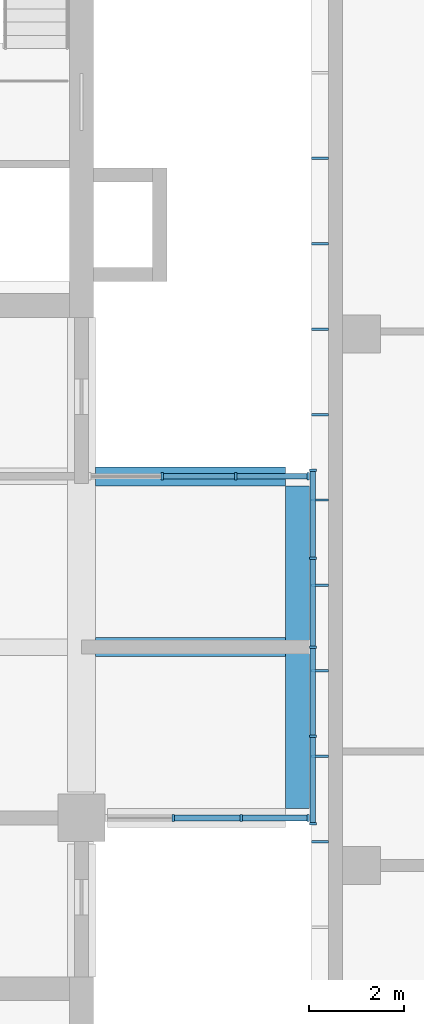
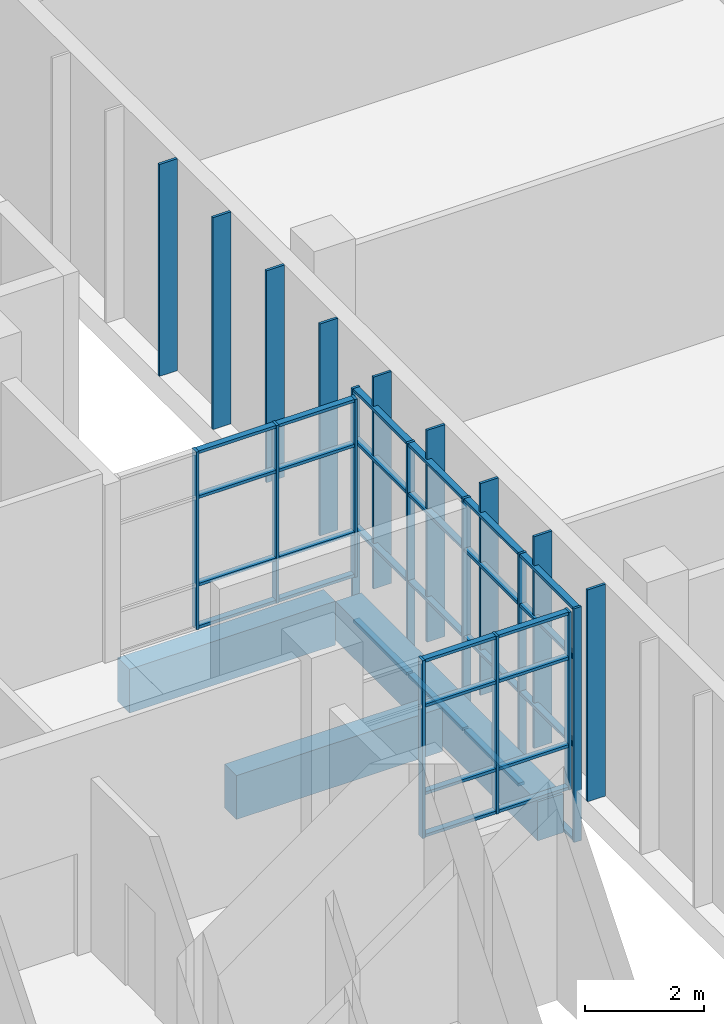
# One storey, part 19 of 45: 52 members, 4 beams, 3 elements without a shape of their own.
"""IFC4 building model written with IfcOpenShell, lengths in metres."""

from ifc_helpers import new_model, si_unit, direction, frame, origin, origin_2d, place, context, subcontext, project, spatial, rectangle, extrude, material, layer, layer_set, material_profile, profile_set, type_object, element, aggregate, save


model = new_model("IFC4")

# Units and contexts
model_context = context("Model", 3, precision=1e-05, world=origin(), true_north=direction((0.0, 1.0)))
body_context = subcontext(model_context, "Body", "Model", "MODEL_VIEW")
ifc_project = project(units=[si_unit("LENGTHUNIT", "METRE"), si_unit("AREAUNIT", "SQUARE_METRE"), si_unit("VOLUMEUNIT", "CUBIC_METRE"), si_unit("PLANEANGLEUNIT", "RADIAN"), si_unit("MASSUNIT", "GRAM", prefix="KILO")], contexts=[model_context])

# Site, building, storey
site_placement = place(None, origin())
site = spatial("IfcSite", under=ifc_project, at=site_placement, CompositionType="ELEMENT")
building_placement = place(site_placement, origin())
building = spatial("IfcBuilding", under=site, at=building_placement, Name="Basin Gate Institute", CompositionType="ELEMENT")
storey_placement = place(building_placement, frame((0.0, 0.0, 22.199951171875)))
storey = spatial("IfcBuildingStorey", under=building, at=storey_placement, Name="L04", CompositionType="ELEMENT", Elevation=22.199951171875)

# Beams
ifc_material_1 = material(Name="Concrete 50 MPa", Category="concrete")
ifc_material_profile_1 = material_profile(ifc_material_1, rectangle(XDim=0.39990234375, YDim=0.89990234375, at=origin_2d()), Name="Cantilever beam B3 400 x 900")
ifc_profile_set_1 = profile_set([ifc_material_profile_1], Name="Concrete 50 MPa")
beam_type_1 = type_object("IfcBeamType", Name="Cantilever beam B3 R120", PredefinedType="BEAM", material=ifc_profile_set_1)
for number, where, z_axis, x_axis, name in (
    (1, (123.10009765625, 81.89990234375, -0.699951171875), (-1.0, 0.0, 0.0), (0.0, -1.0, 0.0), "BEAM/L04/E/CANT/14"),
    (2, (123.10009765625, 85.5, -0.699951171875), (-1.0, 0.0, 0.0), (0.0, -1.0, 0.0), "BEAM/L04/E/CANT/15"),
):
    element("IfcBeam", number, at=place(storey_placement, frame(where, z_axis=z_axis, x_axis=x_axis)), inside=storey, type_object=beam_type_1, material=ifc_profile_set_1, Name=name, PredefinedType="BEAM", context=body_context, shape_type="SweptSolid", body=[
        extrude(rectangle(XDim=0.39990234375, YDim=0.89990234375, at=origin_2d()), origin(), (0.0, 0.0, 1.0), 4.0),
    ])

# Members
ifc_material_2 = material(Name="Anodised aluminium", Category="aluminium")
ifc_material_profile_2 = material_profile(ifc_material_2, rectangle(XDim=0.050048828125, YDim=0.35009765625, at=origin_2d()), Name="Louvre fin CF1 50 x 350")
ifc_profile_set_2 = profile_set([ifc_material_profile_2], Name="Anodised aluminium")
member_type_1 = type_object("IfcMemberType", Name="Louvre fin CF1", PredefinedType="PLATE", material=ifc_profile_set_2)
for number, where, z_axis, x_axis, name in (
    (3, (123.824951171875, 77.800048828125, 0.0), (0.0, 0.0, 1.0), (0.0, 1.0, 0.0), "Louvre fin CF1 W5 L04"),
    (4, (123.824951171875, 79.60009765625, 0.0), (0.0, 0.0, 1.0), (0.0, 1.0, 0.0), "Louvre fin CF1 W6 L04"),
    (5, (123.824951171875, 81.39990234375, 0.0), (0.0, 0.0, 1.0), (0.0, 1.0, 0.0), "Louvre fin CF1 W7 L04"),
    (6, (123.824951171875, 83.199951171875, 0.0), (0.0, 0.0, 1.0), (0.0, 1.0, 0.0), "Louvre fin CF1 W8 L04"),
    (7, (123.824951171875, 85.0, 0.0), (0.0, 0.0, 1.0), (0.0, 1.0, 0.0), "Louvre fin CF1 W9 L04"),
    (8, (123.824951171875, 86.800048828125, 0.0), (0.0, 0.0, 1.0), (0.0, 1.0, 0.0), "Louvre fin CF1 W10 L04"),
    (9, (123.824951171875, 88.60009765625, 0.0), (0.0, 0.0, 1.0), (0.0, 1.0, 0.0), "Louvre fin CF1 W11 L04"),
    (10, (123.824951171875, 90.39990234375, 0.0), (0.0, 0.0, 1.0), (0.0, 1.0, 0.0), "Louvre fin CF1 W12 L04"),
    (11, (123.824951171875, 92.199951171875, 0.0), (0.0, 0.0, 1.0), (0.0, 1.0, 0.0), "Louvre fin CF1 W13 L04"),
):
    element("IfcMember", number, at=place(storey_placement, frame(where, z_axis=z_axis, x_axis=x_axis)), inside=storey, type_object=member_type_1, material=ifc_profile_set_2, Name=name, PredefinedType="PLATE", context=body_context, shape_type="SweptSolid", body=[
        extrude(rectangle(XDim=0.050048828125, YDim=0.35009765625, at=origin_2d()), origin(), (0.0, 0.0, 1.0), 4.35009765625),
    ])

# Curtain wall, members
ifc_material_3 = material(Name="Aluminium-framed glazing", Category="aluminium")
ifc_layer = layer(ifc_material_3, 0.14990234375)
ifc_layer_set = layer_set([ifc_layer], Name="Capsule front curtain wall CW1")
curtain_wall_type = type_object("IfcCurtainWallType", Name="Capsule front curtain wall CW1", PredefinedType="NOTDEFINED", material=ifc_layer_set)
curtain_wall_1_placement = place(storey_placement, origin())
curtain_wall_1 = element("IfcCurtainWall", 12, at=curtain_wall_1_placement, inside=storey, type_object=curtain_wall_type, material=ifc_layer_set, Name="Capsule front curtain wall E wing capsule end L04 line 13", PredefinedType="NOTDEFINED")
ifc_material_4 = material(Name="Aluminium", Category="aluminium")
ifc_material_profile_3 = material_profile(ifc_material_4, rectangle(XDim=0.14990234375, YDim=0.050048828125, at=origin_2d()), Name="Mullion MU1 150 x 50")
ifc_profile_set_3 = profile_set([ifc_material_profile_3], Name="Aluminium")
member_type_2 = type_object("IfcMemberType", Name="Mullion MU1", PredefinedType="MULLION", material=ifc_profile_set_3)
member_1_placement = place(storey_placement, frame((123.574951171875, 78.300048828125, 0.0), z_axis=(0.0, 0.0, 1.0), x_axis=(0.0, -1.0, 0.0)))
member_1 = element("IfcMember", 13, at=member_1_placement, type_object=member_type_2, material=ifc_profile_set_3, Name="CW1 mullion 1", PredefinedType="MULLION", context=body_context, shape_type="SweptSolid", body=[
    extrude(rectangle(XDim=0.14990234375, YDim=0.050048828125, at=origin_2d()), origin(), (0.0, 0.0, 1.0), 3.650146484375),
])
member_2_placement = place(storey_placement, frame((122.166748046875, 78.300048828125, 0.0), z_axis=(0.0, 0.0, 1.0), x_axis=(0.0, -1.0, 0.0)))
member_2 = element("IfcMember", 14, at=member_2_placement, type_object=member_type_2, material=ifc_profile_set_3, Name="CW1 mullion 2", PredefinedType="MULLION", context=body_context, shape_type="SweptSolid", body=[
    extrude(rectangle(XDim=0.14990234375, YDim=0.050048828125, at=origin_2d()), origin(), (0.0, 0.0, 1.0), 3.650146484375),
])
member_3_placement = place(storey_placement, frame((120.7333984375, 78.300048828125, 0.0), z_axis=(0.0, 0.0, 1.0), x_axis=(0.0, -1.0, 0.0)))
member_3 = element("IfcMember", 15, at=member_3_placement, type_object=member_type_2, material=ifc_profile_set_3, Name="CW1 mullion 3", PredefinedType="MULLION", context=body_context, shape_type="SweptSolid", body=[
    extrude(rectangle(XDim=0.14990234375, YDim=0.050048828125, at=origin_2d()), origin(), (0.0, 0.0, 1.0), 3.650146484375),
])

curtain_wall_2_placement = place(storey_placement, origin())
curtain_wall_2 = element("IfcCurtainWall", 16, at=curtain_wall_2_placement, inside=storey, type_object=curtain_wall_type, material=ifc_layer_set, Name="Capsule front curtain wall E wing capsule end L04 line 15", PredefinedType="NOTDEFINED")
member_4_placement = place(storey_placement, frame((123.574951171875, 85.5, 0.0), z_axis=(0.0, 0.0, 1.0), x_axis=(0.0, -1.0, 0.0)))
member_4 = element("IfcMember", 17, at=member_4_placement, type_object=member_type_2, material=ifc_profile_set_3, Name="CW1 mullion 1", PredefinedType="MULLION", context=body_context, shape_type="SweptSolid", body=[
    extrude(rectangle(XDim=0.14990234375, YDim=0.050048828125, at=origin_2d()), origin(), (0.0, 0.0, 1.0), 3.650146484375),
])
member_5_placement = place(storey_placement, frame((122.050048828125, 85.5, 0.0), z_axis=(0.0, 0.0, 1.0), x_axis=(0.0, -1.0, 0.0)))
member_5 = element("IfcMember", 18, at=member_5_placement, type_object=member_type_2, material=ifc_profile_set_3, Name="CW1 mullion 2", PredefinedType="MULLION", context=body_context, shape_type="SweptSolid", body=[
    extrude(rectangle(XDim=0.14990234375, YDim=0.050048828125, at=origin_2d()), origin(), (0.0, 0.0, 1.0), 3.650146484375),
])
member_6_placement = place(storey_placement, frame((120.5, 85.5, 0.0), z_axis=(0.0, 0.0, 1.0), x_axis=(0.0, -1.0, 0.0)))
member_6 = element("IfcMember", 19, at=member_6_placement, type_object=member_type_2, material=ifc_profile_set_3, Name="CW1 mullion 3", PredefinedType="MULLION", context=body_context, shape_type="SweptSolid", body=[
    extrude(rectangle(XDim=0.14990234375, YDim=0.050048828125, at=origin_2d()), origin(), (0.0, 0.0, 1.0), 3.650146484375),
])

curtain_wall_3_placement = place(storey_placement, origin())
curtain_wall_3 = element("IfcCurtainWall", 20, at=curtain_wall_3_placement, inside=storey, type_object=curtain_wall_type, material=ifc_layer_set, Name="Capsule front curtain wall E wing capsule 2 L04 front 2", PredefinedType="NOTDEFINED")
member_7_placement = place(storey_placement, frame((123.675048828125, 78.175048828125, -1.050048828125), z_axis=(0.0, 0.0, 1.0), x_axis=(-1.0, 0.0, 0.0)))
member_7 = element("IfcMember", 21, at=member_7_placement, type_object=member_type_2, material=ifc_profile_set_3, Name="CW1 mullion 1", PredefinedType="MULLION", context=body_context, shape_type="SweptSolid", body=[
    extrude(rectangle(XDim=0.14990234375, YDim=0.050048828125, at=origin_2d()), origin(), (0.0, 0.0, 1.0), 4.800048828125),
])
member_8_placement = place(storey_placement, frame((123.675048828125, 80.02490234375, -1.050048828125), z_axis=(0.0, 0.0, 1.0), x_axis=(-1.0, 0.0, 0.0)))
member_8 = element("IfcMember", 22, at=member_8_placement, type_object=member_type_2, material=ifc_profile_set_3, Name="CW1 mullion 2", PredefinedType="MULLION", context=body_context, shape_type="SweptSolid", body=[
    extrude(rectangle(XDim=0.14990234375, YDim=0.050048828125, at=origin_2d()), origin(), (0.0, 0.0, 1.0), 4.800048828125),
])
member_9_placement = place(storey_placement, frame((123.675048828125, 81.89990234375, -1.050048828125), z_axis=(0.0, 0.0, 1.0), x_axis=(-1.0, 0.0, 0.0)))
member_9 = element("IfcMember", 23, at=member_9_placement, type_object=member_type_2, material=ifc_profile_set_3, Name="CW1 mullion 3", PredefinedType="MULLION", context=body_context, shape_type="SweptSolid", body=[
    extrude(rectangle(XDim=0.14990234375, YDim=0.050048828125, at=origin_2d()), origin(), (0.0, 0.0, 1.0), 4.800048828125),
])
member_10_placement = place(storey_placement, frame((123.675048828125, 83.77490234375, -1.050048828125), z_axis=(0.0, 0.0, 1.0), x_axis=(-1.0, 0.0, 0.0)))
member_10 = element("IfcMember", 24, at=member_10_placement, type_object=member_type_2, material=ifc_profile_set_3, Name="CW1 mullion 4", PredefinedType="MULLION", context=body_context, shape_type="SweptSolid", body=[
    extrude(rectangle(XDim=0.14990234375, YDim=0.050048828125, at=origin_2d()), origin(), (0.0, 0.0, 1.0), 4.800048828125),
])
member_11_placement = place(storey_placement, frame((123.675048828125, 85.625, -1.050048828125), z_axis=(0.0, 0.0, 1.0), x_axis=(-1.0, 0.0, 0.0)))
member_11 = element("IfcMember", 25, at=member_11_placement, type_object=member_type_2, material=ifc_profile_set_3, Name="CW1 mullion 5", PredefinedType="MULLION", context=body_context, shape_type="SweptSolid", body=[
    extrude(rectangle(XDim=0.14990234375, YDim=0.050048828125, at=origin_2d()), origin(), (0.0, 0.0, 1.0), 4.800048828125),
])

# Beams
ifc_material_5 = material(Name="Concrete 50 MPa", Category="concrete")
ifc_material_profile_4 = material_profile(ifc_material_5, rectangle(XDim=0.5, YDim=0.800048828125, at=origin_2d()), Name="Tip beam TB1 500 x 800")
ifc_profile_set_4 = profile_set([ifc_material_profile_4], Name="Concrete 50 MPa")
beam_type_2 = type_object("IfcBeamType", Name="Tip beam TB1 R120", PredefinedType="SPANDREL", material=ifc_profile_set_4)
beam_1_placement = place(storey_placement, frame((123.35009765625, 78.5, -0.64990234375), z_axis=(0.0, 1.0, 0.0), x_axis=(-1.0, 0.0, 0.0)))
element("IfcBeam", 26, at=beam_1_placement, inside=storey, type_object=beam_type_2, material=ifc_profile_set_4, Name="BEAM/L04/E/TIP/6", PredefinedType="SPANDREL", context=body_context, shape_type="SweptSolid", body=[
    extrude(rectangle(XDim=0.5, YDim=0.800048828125, at=origin_2d()), origin(), (0.0, 0.0, 1.0), 3.39990234375),
])
beam_2_placement = place(storey_placement, frame((123.35009765625, 81.89990234375, -0.64990234375), z_axis=(0.0, 1.0, 0.0), x_axis=(-1.0, 0.0, 0.0)))
element("IfcBeam", 27, at=beam_2_placement, inside=storey, type_object=beam_type_2, material=ifc_profile_set_4, Name="BEAM/L04/E/TIP/7", PredefinedType="SPANDREL", context=body_context, shape_type="SweptSolid", body=[
    extrude(rectangle(XDim=0.5, YDim=0.800048828125, at=origin_2d()), origin(), (0.0, 0.0, 1.0), 3.400146484375),
])

# Member
ifc_material_6 = material(Name="Aluminium", Category="aluminium")
ifc_material_profile_5 = material_profile(ifc_material_6, rectangle(XDim=0.1201171875, YDim=0.06005859375, at=origin_2d()), Name="Transom TR1 120 x 60")
ifc_profile_set_5 = profile_set([ifc_material_profile_5], Name="Aluminium")
member_type_3 = type_object("IfcMemberType", Name="Transom TR1", PredefinedType="USERDEFINED", material=ifc_profile_set_5)
member_12_placement = place(storey_placement, frame((123.550048828125, 78.300048828125, 0.030029296875), z_axis=(-1.0, 0.0, 0.0), x_axis=(0.0, -1.0, 0.0)))
member_12 = element("IfcMember", 28, at=member_12_placement, type_object=member_type_3, material=ifc_profile_set_5, Name="CW1 transom 1.1", ObjectType="TRANSOM", PredefinedType="USERDEFINED", context=body_context, shape_type="SweptSolid", body=[
    extrude(rectangle(XDim=0.1201171875, YDim=0.06005859375, at=origin_2d()), origin(), (0.0, 0.0, 1.0), 1.3583984375),
])

member_13_placement = place(storey_placement, frame((123.550048828125, 78.300048828125, 0.900146484375), z_axis=(-1.0, 0.0, 0.0), x_axis=(0.0, -1.0, 0.0)))
member_13 = element("IfcMember", 29, at=member_13_placement, type_object=member_type_3, material=ifc_profile_set_5, Name="CW1 transom 1.2", ObjectType="TRANSOM", PredefinedType="USERDEFINED", context=body_context, shape_type="SweptSolid", body=[
    extrude(rectangle(XDim=0.1201171875, YDim=0.06005859375, at=origin_2d()), origin(), (0.0, 0.0, 1.0), 1.3583984375),
])

member_14_placement = place(storey_placement, frame((123.550048828125, 78.300048828125, 2.699951171875), z_axis=(-1.0, 0.0, 0.0), x_axis=(0.0, -1.0, 0.0)))
member_14 = element("IfcMember", 30, at=member_14_placement, type_object=member_type_3, material=ifc_profile_set_5, Name="CW1 transom 1.3", ObjectType="TRANSOM", PredefinedType="USERDEFINED", context=body_context, shape_type="SweptSolid", body=[
    extrude(rectangle(XDim=0.1201171875, YDim=0.06005859375, at=origin_2d()), origin(), (0.0, 0.0, 1.0), 1.3583984375),
])

member_15_placement = place(storey_placement, frame((123.550048828125, 78.300048828125, 3.6201171875), z_axis=(-1.0, 0.0, 0.0), x_axis=(0.0, -1.0, 0.0)))
member_15 = element("IfcMember", 31, at=member_15_placement, type_object=member_type_3, material=ifc_profile_set_5, Name="CW1 transom 1.4", ObjectType="TRANSOM", PredefinedType="USERDEFINED", context=body_context, shape_type="SweptSolid", body=[
    extrude(rectangle(XDim=0.1201171875, YDim=0.06005859375, at=origin_2d()), origin(), (0.0, 0.0, 1.0), 1.3583984375),
])

member_16_placement = place(storey_placement, frame((122.1416015625, 78.300048828125, 0.030029296875), z_axis=(-1.0, 0.0, 0.0), x_axis=(0.0, -1.0, 0.0)))
member_16 = element("IfcMember", 32, at=member_16_placement, type_object=member_type_3, material=ifc_profile_set_5, Name="CW1 transom 2.1", ObjectType="TRANSOM", PredefinedType="USERDEFINED", context=body_context, shape_type="SweptSolid", body=[
    extrude(rectangle(XDim=0.1201171875, YDim=0.06005859375, at=origin_2d()), origin(), (0.0, 0.0, 1.0), 1.38330078125),
])

member_17_placement = place(storey_placement, frame((122.1416015625, 78.300048828125, 0.900146484375), z_axis=(-1.0, 0.0, 0.0), x_axis=(0.0, -1.0, 0.0)))
member_17 = element("IfcMember", 33, at=member_17_placement, type_object=member_type_3, material=ifc_profile_set_5, Name="CW1 transom 2.2", ObjectType="TRANSOM", PredefinedType="USERDEFINED", context=body_context, shape_type="SweptSolid", body=[
    extrude(rectangle(XDim=0.1201171875, YDim=0.06005859375, at=origin_2d()), origin(), (0.0, 0.0, 1.0), 1.38330078125),
])

member_18_placement = place(storey_placement, frame((122.1416015625, 78.300048828125, 2.699951171875), z_axis=(-1.0, 0.0, 0.0), x_axis=(0.0, -1.0, 0.0)))
member_18 = element("IfcMember", 34, at=member_18_placement, type_object=member_type_3, material=ifc_profile_set_5, Name="CW1 transom 2.3", ObjectType="TRANSOM", PredefinedType="USERDEFINED", context=body_context, shape_type="SweptSolid", body=[
    extrude(rectangle(XDim=0.1201171875, YDim=0.06005859375, at=origin_2d()), origin(), (0.0, 0.0, 1.0), 1.38330078125),
])

member_19_placement = place(storey_placement, frame((122.1416015625, 78.300048828125, 3.6201171875), z_axis=(-1.0, 0.0, 0.0), x_axis=(0.0, -1.0, 0.0)))
member_19 = element("IfcMember", 35, at=member_19_placement, type_object=member_type_3, material=ifc_profile_set_5, Name="CW1 transom 2.4", ObjectType="TRANSOM", PredefinedType="USERDEFINED", context=body_context, shape_type="SweptSolid", body=[
    extrude(rectangle(XDim=0.1201171875, YDim=0.06005859375, at=origin_2d()), origin(), (0.0, 0.0, 1.0), 1.38330078125),
])

aggregate(curtain_wall_1, [member_1, member_2, member_3, member_12, member_13, member_14, member_15, member_16, member_17, member_18, member_19])

member_20_placement = place(storey_placement, frame((123.550048828125, 85.5, 0.030029296875), z_axis=(-1.0, 0.0, 0.0), x_axis=(0.0, -1.0, 0.0)))
member_20 = element("IfcMember", 36, at=member_20_placement, type_object=member_type_3, material=ifc_profile_set_5, Name="CW1 transom 1.1", ObjectType="TRANSOM", PredefinedType="USERDEFINED", context=body_context, shape_type="SweptSolid", body=[
    extrude(rectangle(XDim=0.1201171875, YDim=0.06005859375, at=origin_2d()), origin(), (0.0, 0.0, 1.0), 1.47509765625),
])

member_21_placement = place(storey_placement, frame((123.550048828125, 85.5, 0.900146484375), z_axis=(-1.0, 0.0, 0.0), x_axis=(0.0, -1.0, 0.0)))
member_21 = element("IfcMember", 37, at=member_21_placement, type_object=member_type_3, material=ifc_profile_set_5, Name="CW1 transom 1.2", ObjectType="TRANSOM", PredefinedType="USERDEFINED", context=body_context, shape_type="SweptSolid", body=[
    extrude(rectangle(XDim=0.1201171875, YDim=0.06005859375, at=origin_2d()), origin(), (0.0, 0.0, 1.0), 1.47509765625),
])

member_22_placement = place(storey_placement, frame((123.550048828125, 85.5, 2.699951171875), z_axis=(-1.0, 0.0, 0.0), x_axis=(0.0, -1.0, 0.0)))
member_22 = element("IfcMember", 38, at=member_22_placement, type_object=member_type_3, material=ifc_profile_set_5, Name="CW1 transom 1.3", ObjectType="TRANSOM", PredefinedType="USERDEFINED", context=body_context, shape_type="SweptSolid", body=[
    extrude(rectangle(XDim=0.1201171875, YDim=0.06005859375, at=origin_2d()), origin(), (0.0, 0.0, 1.0), 1.47509765625),
])

member_23_placement = place(storey_placement, frame((123.550048828125, 85.5, 3.6201171875), z_axis=(-1.0, 0.0, 0.0), x_axis=(0.0, -1.0, 0.0)))
member_23 = element("IfcMember", 39, at=member_23_placement, type_object=member_type_3, material=ifc_profile_set_5, Name="CW1 transom 1.4", ObjectType="TRANSOM", PredefinedType="USERDEFINED", context=body_context, shape_type="SweptSolid", body=[
    extrude(rectangle(XDim=0.1201171875, YDim=0.06005859375, at=origin_2d()), origin(), (0.0, 0.0, 1.0), 1.47509765625),
])

member_24_placement = place(storey_placement, frame((122.02490234375, 85.5, 0.030029296875), z_axis=(-1.0, 0.0, 0.0), x_axis=(0.0, -1.0, 0.0)))
member_24 = element("IfcMember", 40, at=member_24_placement, type_object=member_type_3, material=ifc_profile_set_5, Name="CW1 transom 2.1", ObjectType="TRANSOM", PredefinedType="USERDEFINED", context=body_context, shape_type="SweptSolid", body=[
    extrude(rectangle(XDim=0.1201171875, YDim=0.06005859375, at=origin_2d()), origin(), (0.0, 0.0, 1.0), 1.5),
])

member_25_placement = place(storey_placement, frame((122.02490234375, 85.5, 0.900146484375), z_axis=(-1.0, 0.0, 0.0), x_axis=(0.0, -1.0, 0.0)))
member_25 = element("IfcMember", 41, at=member_25_placement, type_object=member_type_3, material=ifc_profile_set_5, Name="CW1 transom 2.2", ObjectType="TRANSOM", PredefinedType="USERDEFINED", context=body_context, shape_type="SweptSolid", body=[
    extrude(rectangle(XDim=0.1201171875, YDim=0.06005859375, at=origin_2d()), origin(), (0.0, 0.0, 1.0), 1.5),
])

member_26_placement = place(storey_placement, frame((122.02490234375, 85.5, 2.699951171875), z_axis=(-1.0, 0.0, 0.0), x_axis=(0.0, -1.0, 0.0)))
member_26 = element("IfcMember", 42, at=member_26_placement, type_object=member_type_3, material=ifc_profile_set_5, Name="CW1 transom 2.3", ObjectType="TRANSOM", PredefinedType="USERDEFINED", context=body_context, shape_type="SweptSolid", body=[
    extrude(rectangle(XDim=0.1201171875, YDim=0.06005859375, at=origin_2d()), origin(), (0.0, 0.0, 1.0), 1.5),
])

member_27_placement = place(storey_placement, frame((122.02490234375, 85.5, 3.6201171875), z_axis=(-1.0, 0.0, 0.0), x_axis=(0.0, -1.0, 0.0)))
member_27 = element("IfcMember", 43, at=member_27_placement, type_object=member_type_3, material=ifc_profile_set_5, Name="CW1 transom 2.4", ObjectType="TRANSOM", PredefinedType="USERDEFINED", context=body_context, shape_type="SweptSolid", body=[
    extrude(rectangle(XDim=0.1201171875, YDim=0.06005859375, at=origin_2d()), origin(), (0.0, 0.0, 1.0), 1.5),
])

aggregate(curtain_wall_2, [member_4, member_5, member_6, member_20, member_21, member_22, member_23, member_24, member_25, member_26, member_27])

member_28_placement = place(storey_placement, frame((123.675048828125, 78.199951171875, -1.02001953125), z_axis=(0.0, 1.0, 0.0), x_axis=(-1.0, 0.0, 0.0)))
member_28 = element("IfcMember", 44, at=member_28_placement, type_object=member_type_3, material=ifc_profile_set_5, Name="CW1 transom 1.1", ObjectType="TRANSOM", PredefinedType="USERDEFINED", context=body_context, shape_type="SweptSolid", body=[
    extrude(rectangle(XDim=0.1201171875, YDim=0.06005859375, at=origin_2d()), origin(), (0.0, 0.0, 1.0), 1.800048828125),
])

member_29_placement = place(storey_placement, frame((123.675048828125, 78.199951171875, 0.900146484375), z_axis=(0.0, 1.0, 0.0), x_axis=(-1.0, 0.0, 0.0)))
member_29 = element("IfcMember", 45, at=member_29_placement, type_object=member_type_3, material=ifc_profile_set_5, Name="CW1 transom 1.2", ObjectType="TRANSOM", PredefinedType="USERDEFINED", context=body_context, shape_type="SweptSolid", body=[
    extrude(rectangle(XDim=0.1201171875, YDim=0.06005859375, at=origin_2d()), origin(), (0.0, 0.0, 1.0), 1.800048828125),
])

member_30_placement = place(storey_placement, frame((123.675048828125, 78.199951171875, 2.699951171875), z_axis=(0.0, 1.0, 0.0), x_axis=(-1.0, 0.0, 0.0)))
member_30 = element("IfcMember", 46, at=member_30_placement, type_object=member_type_3, material=ifc_profile_set_5, Name="CW1 transom 1.3", ObjectType="TRANSOM", PredefinedType="USERDEFINED", context=body_context, shape_type="SweptSolid", body=[
    extrude(rectangle(XDim=0.1201171875, YDim=0.06005859375, at=origin_2d()), origin(), (0.0, 0.0, 1.0), 1.800048828125),
])

member_31_placement = place(storey_placement, frame((123.675048828125, 78.199951171875, 3.719970703125), z_axis=(0.0, 1.0, 0.0), x_axis=(-1.0, 0.0, 0.0)))
member_31 = element("IfcMember", 47, at=member_31_placement, type_object=member_type_3, material=ifc_profile_set_5, Name="CW1 transom 1.4", ObjectType="TRANSOM", PredefinedType="USERDEFINED", context=body_context, shape_type="SweptSolid", body=[
    extrude(rectangle(XDim=0.1201171875, YDim=0.06005859375, at=origin_2d()), origin(), (0.0, 0.0, 1.0), 1.800048828125),
])

member_32_placement = place(storey_placement, frame((123.675048828125, 80.050048828125, -1.02001953125), z_axis=(0.0, 1.0, 0.0), x_axis=(-1.0, 0.0, 0.0)))
member_32 = element("IfcMember", 48, at=member_32_placement, type_object=member_type_3, material=ifc_profile_set_5, Name="CW1 transom 2.1", ObjectType="TRANSOM", PredefinedType="USERDEFINED", context=body_context, shape_type="SweptSolid", body=[
    extrude(rectangle(XDim=0.1201171875, YDim=0.06005859375, at=origin_2d()), origin(), (0.0, 0.0, 1.0), 1.824951171875),
])

member_33_placement = place(storey_placement, frame((123.675048828125, 80.050048828125, 0.900146484375), z_axis=(0.0, 1.0, 0.0), x_axis=(-1.0, 0.0, 0.0)))
member_33 = element("IfcMember", 49, at=member_33_placement, type_object=member_type_3, material=ifc_profile_set_5, Name="CW1 transom 2.2", ObjectType="TRANSOM", PredefinedType="USERDEFINED", context=body_context, shape_type="SweptSolid", body=[
    extrude(rectangle(XDim=0.1201171875, YDim=0.06005859375, at=origin_2d()), origin(), (0.0, 0.0, 1.0), 1.824951171875),
])

member_34_placement = place(storey_placement, frame((123.675048828125, 80.050048828125, 2.699951171875), z_axis=(0.0, 1.0, 0.0), x_axis=(-1.0, 0.0, 0.0)))
member_34 = element("IfcMember", 50, at=member_34_placement, type_object=member_type_3, material=ifc_profile_set_5, Name="CW1 transom 2.3", ObjectType="TRANSOM", PredefinedType="USERDEFINED", context=body_context, shape_type="SweptSolid", body=[
    extrude(rectangle(XDim=0.1201171875, YDim=0.06005859375, at=origin_2d()), origin(), (0.0, 0.0, 1.0), 1.824951171875),
])

member_35_placement = place(storey_placement, frame((123.675048828125, 80.050048828125, 3.719970703125), z_axis=(0.0, 1.0, 0.0), x_axis=(-1.0, 0.0, 0.0)))
member_35 = element("IfcMember", 51, at=member_35_placement, type_object=member_type_3, material=ifc_profile_set_5, Name="CW1 transom 2.4", ObjectType="TRANSOM", PredefinedType="USERDEFINED", context=body_context, shape_type="SweptSolid", body=[
    extrude(rectangle(XDim=0.1201171875, YDim=0.06005859375, at=origin_2d()), origin(), (0.0, 0.0, 1.0), 1.824951171875),
])

member_36_placement = place(storey_placement, frame((123.675048828125, 81.925048828125, -1.02001953125), z_axis=(0.0, 1.0, 0.0), x_axis=(-1.0, 0.0, 0.0)))
member_36 = element("IfcMember", 52, at=member_36_placement, type_object=member_type_3, material=ifc_profile_set_5, Name="CW1 transom 3.1", ObjectType="TRANSOM", PredefinedType="USERDEFINED", context=body_context, shape_type="SweptSolid", body=[
    extrude(rectangle(XDim=0.1201171875, YDim=0.06005859375, at=origin_2d()), origin(), (0.0, 0.0, 1.0), 1.824951171875),
])

member_37_placement = place(storey_placement, frame((123.675048828125, 81.925048828125, 0.900146484375), z_axis=(0.0, 1.0, 0.0), x_axis=(-1.0, 0.0, 0.0)))
member_37 = element("IfcMember", 53, at=member_37_placement, type_object=member_type_3, material=ifc_profile_set_5, Name="CW1 transom 3.2", ObjectType="TRANSOM", PredefinedType="USERDEFINED", context=body_context, shape_type="SweptSolid", body=[
    extrude(rectangle(XDim=0.1201171875, YDim=0.06005859375, at=origin_2d()), origin(), (0.0, 0.0, 1.0), 1.824951171875),
])

member_38_placement = place(storey_placement, frame((123.675048828125, 81.925048828125, 2.699951171875), z_axis=(0.0, 1.0, 0.0), x_axis=(-1.0, 0.0, 0.0)))
member_38 = element("IfcMember", 54, at=member_38_placement, type_object=member_type_3, material=ifc_profile_set_5, Name="CW1 transom 3.3", ObjectType="TRANSOM", PredefinedType="USERDEFINED", context=body_context, shape_type="SweptSolid", body=[
    extrude(rectangle(XDim=0.1201171875, YDim=0.06005859375, at=origin_2d()), origin(), (0.0, 0.0, 1.0), 1.824951171875),
])

member_39_placement = place(storey_placement, frame((123.675048828125, 81.925048828125, 3.719970703125), z_axis=(0.0, 1.0, 0.0), x_axis=(-1.0, 0.0, 0.0)))
member_39 = element("IfcMember", 55, at=member_39_placement, type_object=member_type_3, material=ifc_profile_set_5, Name="CW1 transom 3.4", ObjectType="TRANSOM", PredefinedType="USERDEFINED", context=body_context, shape_type="SweptSolid", body=[
    extrude(rectangle(XDim=0.1201171875, YDim=0.06005859375, at=origin_2d()), origin(), (0.0, 0.0, 1.0), 1.824951171875),
])

member_40_placement = place(storey_placement, frame((123.675048828125, 83.800048828125, -1.02001953125), z_axis=(0.0, 1.0, 0.0), x_axis=(-1.0, 0.0, 0.0)))
member_40 = element("IfcMember", 56, at=member_40_placement, type_object=member_type_3, material=ifc_profile_set_5, Name="CW1 transom 4.1", ObjectType="TRANSOM", PredefinedType="USERDEFINED", context=body_context, shape_type="SweptSolid", body=[
    extrude(rectangle(XDim=0.1201171875, YDim=0.06005859375, at=origin_2d()), origin(), (0.0, 0.0, 1.0), 1.800048828125),
])

member_41_placement = place(storey_placement, frame((123.675048828125, 83.800048828125, 0.900146484375), z_axis=(0.0, 1.0, 0.0), x_axis=(-1.0, 0.0, 0.0)))
member_41 = element("IfcMember", 57, at=member_41_placement, type_object=member_type_3, material=ifc_profile_set_5, Name="CW1 transom 4.2", ObjectType="TRANSOM", PredefinedType="USERDEFINED", context=body_context, shape_type="SweptSolid", body=[
    extrude(rectangle(XDim=0.1201171875, YDim=0.06005859375, at=origin_2d()), origin(), (0.0, 0.0, 1.0), 1.800048828125),
])

member_42_placement = place(storey_placement, frame((123.675048828125, 83.800048828125, 2.699951171875), z_axis=(0.0, 1.0, 0.0), x_axis=(-1.0, 0.0, 0.0)))
member_42 = element("IfcMember", 58, at=member_42_placement, type_object=member_type_3, material=ifc_profile_set_5, Name="CW1 transom 4.3", ObjectType="TRANSOM", PredefinedType="USERDEFINED", context=body_context, shape_type="SweptSolid", body=[
    extrude(rectangle(XDim=0.1201171875, YDim=0.06005859375, at=origin_2d()), origin(), (0.0, 0.0, 1.0), 1.800048828125),
])

member_43_placement = place(storey_placement, frame((123.675048828125, 83.800048828125, 3.719970703125), z_axis=(0.0, 1.0, 0.0), x_axis=(-1.0, 0.0, 0.0)))
member_43 = element("IfcMember", 59, at=member_43_placement, type_object=member_type_3, material=ifc_profile_set_5, Name="CW1 transom 4.4", ObjectType="TRANSOM", PredefinedType="USERDEFINED", context=body_context, shape_type="SweptSolid", body=[
    extrude(rectangle(XDim=0.1201171875, YDim=0.06005859375, at=origin_2d()), origin(), (0.0, 0.0, 1.0), 1.800048828125),
])

aggregate(curtain_wall_3, [member_7, member_8, member_9, member_10, member_11, member_28, member_29, member_30, member_31, member_32, member_33, member_34, member_35, member_36, member_37, member_38, member_39, member_40, member_41, member_42, member_43])

save(model, "model.ifc")
